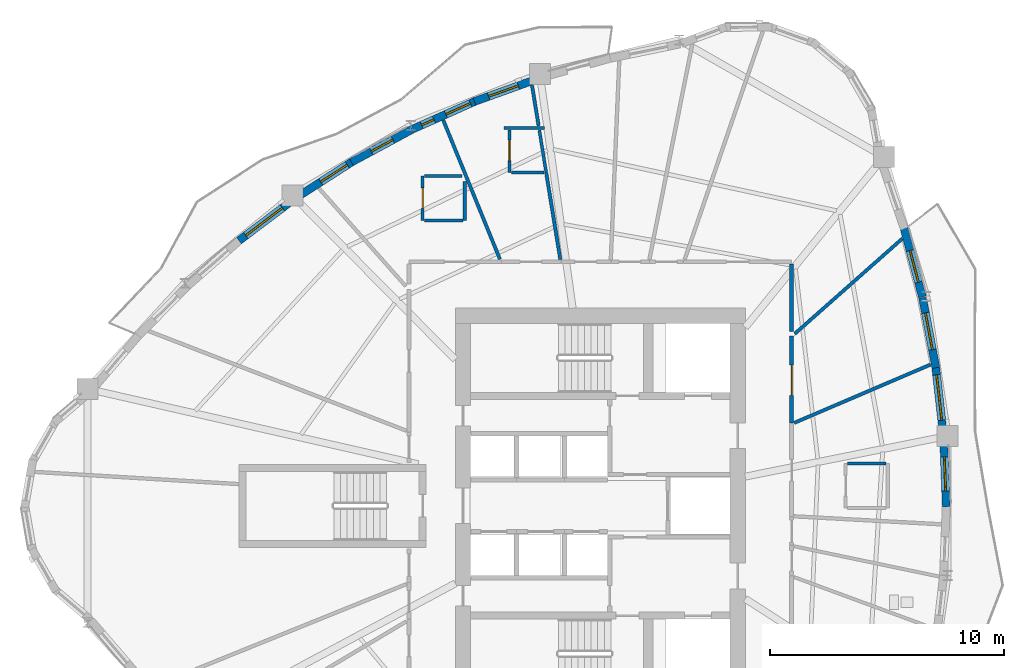
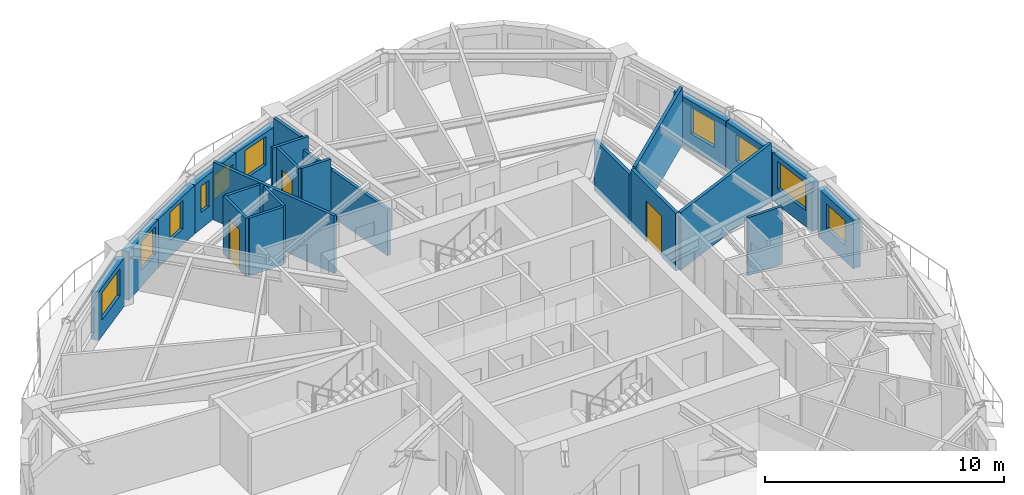
# One storey, part 8 of 13: 25 walls, 10 windows, 3 doors, 13 openings.
"""IFC4 building model written with IfcOpenShell, lengths in metres."""

from ifc_helpers import new_model, si_unit, direction, frame, frame_2d, origin, place, context, subcontext, project, spatial, rectangle, extrude, source, transform, mapped, material, layer, layer_set, type_object, element, fill, save


model = new_model("IFC4")

# Units and contexts
model_context = context("Model", 3, precision=1e-05, world=origin(), true_north=direction((0.0, 1.0)))
body_context = subcontext(model_context, "Body", "Model", "MODEL_VIEW")
ifc_project = project(units=[si_unit("LENGTHUNIT", "METRE"), si_unit("AREAUNIT", "SQUARE_METRE"), si_unit("VOLUMEUNIT", "CUBIC_METRE"), si_unit("PLANEANGLEUNIT", "RADIAN"), si_unit("MASSUNIT", "GRAM", prefix="KILO")], contexts=[model_context])

# Site, building, storey
site_placement = place(None, origin())
site = spatial("IfcSite", under=ifc_project, at=site_placement, CompositionType="ELEMENT")
building_placement = place(site_placement, origin())
building = spatial("IfcBuilding", under=site, at=building_placement, Name="Qafzar Sky-Pleat Residences", CompositionType="ELEMENT")
storey_placement = place(building_placement, frame((0.0, 0.0, 99.199951171875)))
storey = spatial("IfcBuildingStorey", under=building, at=storey_placement, Name="L29", CompositionType="ELEMENT", Elevation=99.199951171875)

# Wall, opening, door
ifc_material_1 = material(Name="Acoustic gypsum plasterboard partition", Category="gypsum")
ifc_layer_1 = layer(ifc_material_1, 0.159912109375)
ifc_layer_set_1 = layer_set([ifc_layer_1], Name="Acoustic gypsum plasterboard partition")
wall_type_1 = type_object("IfcWallType", Name="PART-COR-160", PredefinedType="PARTITIONING", material=ifc_layer_set_1)
wall_1_placement = place(storey_placement, frame((38.530029296875, 33.2548828125, 0.0), z_axis=(0.0, 0.0, 1.0), x_axis=(0.0, -1.0, 0.0)))
wall_1 = element("IfcWall", 1, at=wall_1_placement, inside=storey, type_object=wall_type_1, Name="L29 Partition Wall PART-L29-PW-007", PredefinedType="PARTITIONING", context=body_context, shape_type="SweptSolid", body=[
    extrude(rectangle(XDim=3.725830078125, YDim=0.159912109375, at=frame_2d((1.86279296875, 0.0))), origin(), (0.0, 0.0, 1.0), 2.949951171875),
])
opening_1_placement = place(wall_1_placement, frame((1.238525390625, 0.0, 0.0)))
opening_1 = element("IfcOpeningElement", 2, at=opening_1_placement, cuts=wall_1, Name="Opening ID-05", PredefinedType="OPENING", context=body_context, shape_type="SweptSolid", body=[
    extrude(rectangle(XDim=1.300048828125, YDim=2.10009765625, at=frame_2d((0.64990234375, 1.050048828125))), frame((0.0, 0.08984375, 0.0), z_axis=(0.0, -1.0, 0.0), x_axis=(1.0, 0.0, 0.0)), (0.0, 0.0, 1.0), 0.179931640625),
])
ifc_material_2 = material(Name="Timber-faced fire door", Category="wood")
door_type_1 = type_object("IfcDoorType", Name="DR-LNG-1300", OperationType="DOUBLE_DOOR_SINGLE_SWING", PredefinedType="DOOR", material=ifc_material_2)
shared_shape_1 = source(origin(), body_context, "Body", "SweptSolid", [
    extrude(rectangle(XDim=1.300048828125, YDim=2.10009765625, at=frame_2d((0.64990234375, 1.050048828125))), frame((0.0, 0.02490234375, 0.0), z_axis=(0.0, -1.0, 0.0), x_axis=(1.0, 0.0, 0.0)), (0.0, 0.0, 1.0), 0.050048828125),
])
door_1_placement = place(opening_1_placement, origin())
door_1 = element("IfcDoor", 3, at=door_1_placement, inside=storey, type_object=door_type_1, Name="L29 Communal Kitchen Door", OperationType="DOUBLE_DOOR_SINGLE_SWING", OverallHeight=2.10009765625, OverallWidth=1.300048828125, PredefinedType="DOOR", context=body_context, shape_type="MappedRepresentation", body=[
    mapped(shared_shape_1, transform((0.0, 0.0, 0.0), x_axis=(1.0, 0.0, 0.0), y_axis=(0.0, 1.0, 0.0), z_axis=(0.0, 0.0, 1.0), scale=1.0)),
])
fill(opening_1, door_1)

# Walls
wall_2_placement = place(storey_placement, frame((38.530029296875, 33.445556640625, 0.0), z_axis=(0.0, 0.0, 1.0), x_axis=(0.0, 1.0, 0.0)))
element("IfcWall", 4, at=wall_2_placement, inside=storey, type_object=wall_type_1, Name="L29 Partition Wall PART-L29-PW-051", PredefinedType="PARTITIONING", context=body_context, shape_type="SweptSolid", body=[
    extrude(rectangle(XDim=2.896484375, YDim=0.159912109375, at=frame_2d((1.4482421875, 0.0))), origin(), (0.0, 0.0, 1.0), 2.588134765625),
])
ifc_layer_2 = layer(ifc_material_1, 0.14501953125)
ifc_layer_set_2 = layer_set([ifc_layer_2], Name="Acoustic gypsum plasterboard partition")
wall_type_2 = type_object("IfcWallType", Name="PART-UNIT-145", PredefinedType="PARTITIONING", material=ifc_layer_set_2)
wall_3_placement = place(storey_placement, frame((23.6328125, 42.4931640625, 0.0), z_axis=(0.0, 0.0, 1.0), x_axis=(0.37719666663, -0.926133184096, 0.0)))
element("IfcWall", 5, at=wall_3_placement, inside=storey, type_object=wall_type_2, Name="L29 Partition Wall PART-L29-PW-041", PredefinedType="PARTITIONING", context=body_context, shape_type="SweptSolid", body=[
    extrude(rectangle(XDim=6.422607421875, YDim=0.14501953125, at=frame_2d((3.21142578125, 0.0))), origin(), (0.0, 0.0, 1.0), 2.949951171875),
])
wall_4_placement = place(storey_placement, frame((38.64599609375, 29.54638671875, 0.0), z_axis=(0.0, 0.0, 1.0), x_axis=(0.919441504603, 0.393226804293, 0.0)))
element("IfcWall", 6, at=wall_4_placement, inside=storey, type_object=wall_type_2, Name="L29 Partition Wall PART-L29-PW-042", PredefinedType="PARTITIONING", context=body_context, shape_type="SweptSolid", body=[
    extrude(rectangle(XDim=6.3408203125, YDim=0.14501953125, at=frame_2d((3.17041015625, 0.0))), origin(), (0.0, 0.0, 1.0), 2.949951171875),
])
wall_5_placement = place(storey_placement, frame((38.6640625, 33.3544921875, 0.0), z_axis=(0.0, 0.0, 1.0), x_axis=(0.749069296105, 0.662491652501, 0.0)))
element("IfcWall", 7, at=wall_5_placement, inside=storey, type_object=wall_type_2, Name="L29 Partition Wall PART-L29-PW-046", PredefinedType="PARTITIONING", context=body_context, shape_type="SweptSolid", body=[
    extrude(rectangle(XDim=6.150146484375, YDim=0.14501953125, at=frame_2d((3.0751953125, 0.0))), origin(), (0.0, 0.0, 1.0), 2.949951171875),
])
wall_6_placement = place(storey_placement, frame((28.035888671875, 40.24609375, 0.0), z_axis=(0.0, 0.0, 1.0), x_axis=(0.160412651813, -0.987050039835, 0.0)))
element("IfcWall", 8, at=wall_6_placement, inside=storey, type_object=wall_type_2, Name="L29 Partition Wall PART-L29-PW-048", PredefinedType="PARTITIONING", context=body_context, shape_type="SweptSolid", body=[
    extrude(rectangle(XDim=3.765380859375, YDim=0.14501953125, at=frame_2d((1.8828125, 0.0))), origin(), (0.0, 0.0, 1.0), 2.3681640625),
])
wall_7_placement = place(storey_placement, frame((27.430908203125, 43.97119140625, 0.0), z_axis=(0.0, 0.0, 1.0), x_axis=(0.160707234414, -0.987002119961, 0.0)))
element("IfcWall", 9, at=wall_7_placement, inside=storey, type_object=wall_type_2, Name="L29 Partition Wall PART-L29-PW-060", PredefinedType="PARTITIONING", context=body_context, shape_type="SweptSolid", body=[
    extrude(rectangle(XDim=1.74853515625, YDim=0.14501953125, at=frame_2d((0.874267578125, 0.0))), origin(), (0.0, 0.0, 1.0), 2.949951171875),
])

# Wall, opening, door
ifc_material_3 = material(Name="Moisture-resistant gypsum partition", Category="gypsum")
ifc_layer_3 = layer(ifc_material_3, 0.1298828125)
ifc_layer_set_3 = layer_set([ifc_layer_3], Name="Moisture-resistant gypsum partition")
wall_type_3 = type_object("IfcWallType", Name="PART-WET-130", PredefinedType="PARTITIONING", material=ifc_layer_set_3)
wall_8_placement = place(storey_placement, frame((26.468994140625, 42.072998046875, 0.0), z_axis=(0.0, 0.0, 1.0), x_axis=(0.0, -1.0, 0.0)))
wall_8 = element("IfcWall", 10, at=wall_8_placement, inside=storey, type_object=wall_type_3, Name="L29 Partition Wall PART-L29-PW-022", PredefinedType="PARTITIONING", context=body_context, shape_type="SweptSolid", body=[
    extrude(rectangle(XDim=1.826904296875, YDim=0.1298828125, at=frame_2d((0.91357421875, 0.0))), origin(), (0.0, 0.0, 1.0), 2.949951171875),
])
opening_2_placement = place(wall_8_placement, frame((0.43701171875, 0.0, 0.0)))
opening_2 = element("IfcOpeningElement", 11, at=opening_2_placement, cuts=wall_8, Name="Opening ID-07", PredefinedType="OPENING", context=body_context, shape_type="SweptSolid", body=[
    extrude(rectangle(XDim=0.8798828125, YDim=2.050048828125, at=frame_2d((0.43994140625, 1.02490234375))), frame((0.0, 0.074951171875, 0.0), z_axis=(0.0, -1.0, 0.0), x_axis=(1.0, 0.0, 0.0)), (0.0, 0.0, 1.0), 0.14990234375),
])
door_type_2 = type_object("IfcDoorType", Name="DR-WET-880", OperationType="NOTDEFINED", PredefinedType="DOOR", material=ifc_material_2)
shared_shape_2 = source(origin(), body_context, "Body", "SweptSolid", [
    extrude(rectangle(XDim=0.8798828125, YDim=2.050048828125, at=frame_2d((0.43994140625, 1.02490234375))), frame((0.0, 0.02490234375, 0.0), z_axis=(0.0, -1.0, 0.0), x_axis=(1.0, 0.0, 0.0)), (0.0, 0.0, 1.0), 0.050048828125),
])
door_2_placement = place(opening_2_placement, origin())
door_2 = element("IfcDoor", 12, at=door_2_placement, inside=storey, type_object=door_type_2, Name="L29 En-suite Bathroom 8 Door", OperationType="SINGLE_SWING_LEFT", OverallHeight=2.050048828125, OverallWidth=0.8798828125, PredefinedType="DOOR", context=body_context, shape_type="MappedRepresentation", body=[
    mapped(shared_shape_2, transform((0.0, 0.0, 0.0), x_axis=(1.0, 0.0, 0.0), y_axis=(0.0, 1.0, 0.0), z_axis=(0.0, 0.0, 1.0), scale=1.0)),
])
fill(opening_2, door_2)

wall_9_placement = place(storey_placement, frame((22.7529296875, 40.10693359375, 0.0), z_axis=(0.0, 0.0, 1.0), x_axis=(0.0, -1.0, 0.0)))
wall_9 = element("IfcWall", 13, at=wall_9_placement, inside=storey, type_object=wall_type_3, Name="L29 Partition Wall PART-L29-PW-023", PredefinedType="PARTITIONING", context=body_context, shape_type="SweptSolid", body=[
    extrude(rectangle(XDim=1.89990234375, YDim=0.1298828125, at=frame_2d((0.949951171875, 0.0))), origin(), (0.0, 0.0, 1.0), 2.949951171875),
])
opening_3_placement = place(wall_9_placement, frame((0.510009765625, 0.0, 0.0)))
opening_3 = element("IfcOpeningElement", 14, at=opening_3_placement, cuts=wall_9, Name="Opening ID-07", PredefinedType="OPENING", context=body_context, shape_type="SweptSolid", body=[
    extrude(rectangle(XDim=0.8798828125, YDim=2.050048828125, at=frame_2d((0.43994140625, 1.02490234375))), frame((0.0, 0.074951171875, 0.0), z_axis=(0.0, -1.0, 0.0), x_axis=(1.0, 0.0, 0.0)), (0.0, 0.0, 1.0), 0.14990234375),
])
door_3_placement = place(opening_3_placement, origin())
door_3 = element("IfcDoor", 15, at=door_3_placement, inside=storey, type_object=door_type_2, Name="L29 En-suite Bathroom 10 Door", OperationType="SINGLE_SWING_RIGHT", OverallHeight=2.050048828125, OverallWidth=0.8798828125, PredefinedType="DOOR", context=body_context, shape_type="MappedRepresentation", body=[
    mapped(shared_shape_2, transform((0.0, 0.0, 0.0), x_axis=(1.0, 0.0, 0.0), y_axis=(0.0, 1.0, 0.0), z_axis=(0.0, 0.0, 1.0), scale=1.0)),
])
fill(opening_3, door_3)

# Walls
wall_10_placement = place(storey_placement, frame((27.741455078125, 42.062744140625, 0.0), z_axis=(0.0, 0.0, 1.0), x_axis=(0.160081724147, -0.98710376435, 0.0)))
element("IfcWall", 16, at=wall_10_placement, inside=storey, type_object=wall_type_3, Name="L29 Partition Wall PART-L29-PW-056", PredefinedType="PARTITIONING", context=body_context, shape_type="SweptSolid", body=[
    extrude(rectangle(XDim=1.825439453125, YDim=0.1298828125, at=frame_2d((0.91259765625, 0.0))), origin(), (0.0, 0.0, 1.0), 2.3681640625),
])
wall_11_placement = place(storey_placement, frame((24.552978515625, 38.20703125, 0.0), z_axis=(0.0, 0.0, 1.0), x_axis=(0.0, 1.0, 0.0)))
element("IfcWall", 17, at=wall_11_placement, inside=storey, type_object=wall_type_3, Name="L29 Partition Wall PART-L29-PW-059", PredefinedType="PARTITIONING", context=body_context, shape_type="SweptSolid", body=[
    extrude(rectangle(XDim=1.659912109375, YDim=0.1298828125, at=frame_2d((0.830078125, 0.0))), origin(), (0.0, 0.0, 1.0), 2.949951171875),
])
wall_12_placement = place(storey_placement, frame((40.9150390625, 27.802001953125, 0.0), z_axis=(0.0, 0.0, 1.0), x_axis=(1.0, 0.0, 0.0)))
element("IfcWall", 18, at=wall_12_placement, inside=storey, type_object=wall_type_3, Name="L29 Partition Wall PART-L29-PW-061", PredefinedType="PARTITIONING", context=body_context, shape_type="SweptSolid", body=[
    extrude(rectangle(XDim=1.654052734375, YDim=0.1298828125, at=frame_2d((0.8271484375, 0.0))), origin(), (0.0, 0.0, 1.0), 2.949951171875),
])
wall_13_placement = place(storey_placement, frame((22.825927734375, 40.10693359375, 0.0), z_axis=(0.0, 0.0, 1.0), x_axis=(1.0, 0.0, 0.0)))
element("IfcWall", 19, at=wall_13_placement, inside=storey, type_object=wall_type_3, Name="L29 Partition Wall PART-L29-PW-064", PredefinedType="PARTITIONING", context=body_context, shape_type="SweptSolid", body=[
    extrude(rectangle(XDim=1.6142578125, YDim=0.1298828125, at=frame_2d((0.80712890625, 0.0))), origin(), (0.0, 0.0, 1.0), 2.949951171875),
])
wall_14_placement = place(storey_placement, frame((22.825927734375, 38.20703125, 0.0), z_axis=(0.0, 0.0, 1.0), x_axis=(1.0, 0.0, 0.0)))
element("IfcWall", 20, at=wall_14_placement, inside=storey, type_object=wall_type_3, Name="L29 Partition Wall PART-L29-PW-065", PredefinedType="PARTITIONING", context=body_context, shape_type="SweptSolid", body=[
    extrude(rectangle(XDim=1.654052734375, YDim=0.1298828125, at=frame_2d((0.8271484375, 0.0))), origin(), (0.0, 0.0, 1.0), 2.949951171875),
])
wall_15_placement = place(storey_placement, frame((26.5419921875, 40.24609375, 0.0), z_axis=(0.0, 0.0, 1.0), x_axis=(1.0, 0.0, 0.0)))
element("IfcWall", 21, at=wall_15_placement, inside=storey, type_object=wall_type_3, Name="L29 Partition Wall PART-L29-PW-074", PredefinedType="PARTITIONING", context=body_context, shape_type="SweptSolid", body=[
    extrude(rectangle(XDim=1.402099609375, YDim=0.1298828125, at=frame_2d((0.701171875, 0.0))), origin(), (0.0, 0.0, 1.0), 2.949951171875),
])
wall_16_placement = place(storey_placement, frame((26.22900390625, 42.14599609375, 0.0), z_axis=(0.0, 0.0, 1.0), x_axis=(1.0, 0.0, 0.0)))
element("IfcWall", 22, at=wall_16_placement, inside=storey, type_object=wall_type_3, Name="L29 Partition Wall PART-L29-PW-078", PredefinedType="PARTITIONING", context=body_context, shape_type="SweptSolid", body=[
    extrude(rectangle(XDim=1.739013671875, YDim=0.1298828125, at=frame_2d((0.86962890625, 0.0))), origin(), (0.0, 0.0, 1.0), 2.949951171875),
])

# Wall, opening, window
ifc_material_4 = material(Name="Precast concrete C40/50 with honed Riyadh limestone", Category="concrete")
ifc_layer_4 = layer(ifc_material_4, 0.340087890625)
ifc_layer_set_4 = layer_set([ifc_layer_4], Name="Precast concrete C40/50 with honed Riyadh limestone")
wall_type_4 = type_object("IfcWallType", Name="WALL-EXT-340", PredefinedType="SOLIDWALL", material=ifc_layer_set_4)
wall_17_placement = place(storey_placement, frame((45.14453125, 25.95556640625, 0.0), z_axis=(0.0, 0.0, 1.0), x_axis=(-0.038000333161, 0.9992777265, 0.0)))
wall_17 = element("IfcWall", 23, at=wall_17_placement, inside=storey, type_object=wall_type_4, Name="L29 Limestone Facade Wall 28", PredefinedType="SOLIDWALL", context=body_context, shape_type="SweptSolid", body=[
    extrude(rectangle(XDim=2.794677734375, YDim=0.340087890625, at=frame_2d((1.3974609375, 0.0))), origin(), (0.0, 0.0, 1.0), 2.47998046875),
])
opening_4_placement = place(wall_17_placement, frame((0.677490234375, 0.0, 0.820068359375)))
opening_4 = element("IfcOpeningElement", 24, at=opening_4_placement, cuts=wall_17, Name="Opening WN-15", PredefinedType="OPENING", context=body_context, shape_type="SweptSolid", body=[
    extrude(rectangle(XDim=1.449951171875, YDim=1.25, at=frame_2d((0.72509765625, 0.625))), frame((0.0, 0.18017578125, 0.0), z_axis=(0.0, -1.0, 0.0), x_axis=(1.0, 0.0, 0.0)), (0.0, 0.0, 1.0), 0.360107421875),
])
ifc_material_5 = material(Name="Solar-control low-E glass in bronze aluminium frame", Category="glass")
window_type_1 = type_object("IfcWindowType", Name="WIN-15", PartitioningType="SINGLE_PANEL", PredefinedType="WINDOW", material=ifc_material_5)
shared_shape_3 = source(origin(), body_context, "Body", "SweptSolid", [
    extrude(rectangle(XDim=1.449951171875, YDim=1.25, at=frame_2d((0.72509765625, 0.625))), frame((0.0, 0.030029296875, 0.0), z_axis=(0.0, -1.0, 0.0), x_axis=(1.0, 0.0, 0.0)), (0.0, 0.0, 1.0), 0.06005859375),
])
window_1_placement = place(opening_4_placement, origin())
window_1 = element("IfcWindow", 25, at=window_1_placement, inside=storey, type_object=window_type_1, Name="L29 Punched Facade Window 28", OverallHeight=1.25, OverallWidth=1.449951171875, PartitioningType="SINGLE_PANEL", PredefinedType="WINDOW", context=body_context, shape_type="MappedRepresentation", body=[
    mapped(shared_shape_3, transform((0.0, 0.0, 0.0), x_axis=(1.0, 0.0, 0.0), y_axis=(0.0, 1.0, 0.0), z_axis=(0.0, 0.0, 1.0), scale=1.0)),
])
fill(opening_4, window_1)

wall_18_placement = place(storey_placement, frame((45.00439453125, 29.194091796875, 0.0), z_axis=(0.0, 0.0, 1.0), x_axis=(-0.113223342564, 0.993569562083, 0.0)))
wall_18 = element("IfcWall", 26, at=wall_18_placement, inside=storey, type_object=wall_type_4, Name="L29 Limestone Facade Wall 29", PredefinedType="SOLIDWALL", context=body_context, shape_type="SweptSolid", body=[
    extrude(rectangle(XDim=2.811767578125, YDim=0.340087890625, at=frame_2d((1.40576171875, 0.0))), origin(), (0.0, 0.0, 1.0), 2.47998046875),
])
opening_5_placement = place(wall_18_placement, frame((0.466064453125, 0.0, 0.820068359375)))
opening_5 = element("IfcOpeningElement", 27, at=opening_5_placement, cuts=wall_18, Name="Opening WN-08", PredefinedType="OPENING", context=body_context, shape_type="SweptSolid", body=[
    extrude(rectangle(XDim=1.949951171875, YDim=1.39990234375, at=frame_2d((0.97509765625, 0.699951171875))), frame((0.0, 0.18017578125, 0.0), z_axis=(0.0, -1.0, 0.0), x_axis=(1.0, 0.0, 0.0)), (0.0, 0.0, 1.0), 0.360107421875),
])
window_type_2 = type_object("IfcWindowType", Name="WIN-08", PartitioningType="DOUBLE_PANEL_VERTICAL", PredefinedType="WINDOW", material=ifc_material_5)
shared_shape_4 = source(origin(), body_context, "Body", "SweptSolid", [
    extrude(rectangle(XDim=1.949951171875, YDim=1.39990234375, at=frame_2d((0.97509765625, 0.699951171875))), frame((0.0, 0.030029296875, 0.0), z_axis=(0.0, -1.0, 0.0), x_axis=(1.0, 0.0, 0.0)), (0.0, 0.0, 1.0), 0.06005859375),
])
window_2_placement = place(opening_5_placement, origin())
window_2 = element("IfcWindow", 28, at=window_2_placement, inside=storey, type_object=window_type_2, Name="L29 Punched Facade Window 29", OverallHeight=1.39990234375, OverallWidth=1.949951171875, PartitioningType="SINGLE_PANEL", PredefinedType="WINDOW", context=body_context, shape_type="MappedRepresentation", body=[
    mapped(shared_shape_4, transform((0.0, 0.0, 0.0), x_axis=(1.0, 0.0, 0.0), y_axis=(0.0, 1.0, 0.0), z_axis=(0.0, 0.0, 1.0), scale=1.0)),
])
fill(opening_5, window_2)

wall_19_placement = place(storey_placement, frame((44.699462890625, 31.900146484375, 0.0), z_axis=(0.0, 0.0, 1.0), x_axis=(-0.186689944156, 0.982418884566, 0.0)))
wall_19 = element("IfcWall", 29, at=wall_19_placement, inside=storey, type_object=wall_type_4, Name="L29 Limestone Facade Wall 30", PredefinedType="SOLIDWALL", context=body_context, shape_type="SweptSolid", body=[
    extrude(rectangle(XDim=3.05615234375, YDim=0.340087890625, at=frame_2d((1.528076171875, 0.0))), origin(), (0.0, 0.0, 1.0), 2.47998046875),
])
opening_6_placement = place(wall_19_placement, frame((0.791015625, 0.0, 0.820068359375)))
opening_6 = element("IfcOpeningElement", 30, at=opening_6_placement, cuts=wall_19, Name="Opening WN-09", PredefinedType="OPENING", context=body_context, shape_type="SweptSolid", body=[
    extrude(rectangle(XDim=1.60009765625, YDim=1.35009765625, at=frame_2d((0.800048828125, 0.675048828125))), frame((0.0, 0.18017578125, 0.0), z_axis=(0.0, -1.0, 0.0), x_axis=(1.0, 0.0, 0.0)), (0.0, 0.0, 1.0), 0.360107421875),
])
window_type_3 = type_object("IfcWindowType", Name="WIN-09", PartitioningType="DOUBLE_PANEL_VERTICAL", PredefinedType="WINDOW", material=ifc_material_5)
shared_shape_5 = source(origin(), body_context, "Body", "SweptSolid", [
    extrude(rectangle(XDim=1.60009765625, YDim=1.35009765625, at=frame_2d((0.800048828125, 0.675048828125))), frame((0.0, 0.030029296875, 0.0), z_axis=(0.0, -1.0, 0.0), x_axis=(1.0, 0.0, 0.0)), (0.0, 0.0, 1.0), 0.06005859375),
])
window_3_placement = place(opening_6_placement, origin())
window_3 = element("IfcWindow", 31, at=window_3_placement, inside=storey, type_object=window_type_3, Name="L29 Punched Facade Window 30", OverallHeight=1.35009765625, OverallWidth=1.60009765625, PartitioningType="SINGLE_PANEL", PredefinedType="WINDOW", context=body_context, shape_type="MappedRepresentation", body=[
    mapped(shared_shape_5, transform((0.0, 0.0, 0.0), x_axis=(1.0, 0.0, 0.0), y_axis=(0.0, 1.0, 0.0), z_axis=(0.0, 0.0, 1.0), scale=1.0)),
])
fill(opening_6, window_3)

wall_20_placement = place(storey_placement, frame((44.122802734375, 34.9296875, 0.0), z_axis=(0.0, 0.0, 1.0), x_axis=(-0.257080487516, 0.96638999526, 0.0)))
wall_20 = element("IfcWall", 32, at=wall_20_placement, inside=storey, type_object=wall_type_4, Name="L29 Limestone Facade Wall 31", PredefinedType="SOLIDWALL", context=body_context, shape_type="SweptSolid", body=[
    extrude(rectangle(XDim=3.1064453125, YDim=0.340087890625, at=frame_2d((1.55322265625, 0.0))), origin(), (0.0, 0.0, 1.0), 2.47998046875),
])
opening_7_placement = place(wall_20_placement, frame((0.652099609375, 0.0, 0.820068359375)))
opening_7 = element("IfcOpeningElement", 33, at=opening_7_placement, cuts=wall_20, Name="Opening WN-10", PredefinedType="OPENING", context=body_context, shape_type="SweptSolid", body=[
    extrude(rectangle(XDim=1.39990234375, YDim=1.35009765625, at=frame_2d((0.699951171875, 0.675048828125))), frame((0.0, 0.18017578125, 0.0), z_axis=(0.0, -1.0, 0.0), x_axis=(1.0, 0.0, 0.0)), (0.0, 0.0, 1.0), 0.360107421875),
])
window_type_4 = type_object("IfcWindowType", Name="WIN-10", PartitioningType="SINGLE_PANEL", PredefinedType="WINDOW", material=ifc_material_5)
shared_shape_6 = source(origin(), body_context, "Body", "SweptSolid", [
    extrude(rectangle(XDim=1.39990234375, YDim=1.35009765625, at=frame_2d((0.699951171875, 0.675048828125))), frame((0.0, 0.030029296875, 0.0), z_axis=(0.0, -1.0, 0.0), x_axis=(1.0, 0.0, 0.0)), (0.0, 0.0, 1.0), 0.06005859375),
])
window_4_placement = place(opening_7_placement, origin())
window_4 = element("IfcWindow", 34, at=window_4_placement, inside=storey, type_object=window_type_4, Name="L29 Punched Facade Window 31", OverallHeight=1.35009765625, OverallWidth=1.39990234375, PartitioningType="SINGLE_PANEL", PredefinedType="WINDOW", context=body_context, shape_type="MappedRepresentation", body=[
    mapped(shared_shape_6, transform((0.0, 0.0, 0.0), x_axis=(1.0, 0.0, 0.0), y_axis=(0.0, 1.0, 0.0), z_axis=(0.0, 0.0, 1.0), scale=1.0)),
])
fill(opening_7, window_4)

wall_21_placement = place(storey_placement, frame((27.60302734375, 44.236083984375, 0.0), z_axis=(0.0, 0.0, 1.0), x_axis=(-0.941110715193, -0.33809853852, 0.0)))
wall_21 = element("IfcWall", 35, at=wall_21_placement, inside=storey, type_object=wall_type_4, Name="L29 Limestone Facade Wall 41", PredefinedType="SOLIDWALL", context=body_context, shape_type="SweptSolid", body=[
    extrude(rectangle(XDim=2.798828125, YDim=0.340087890625, at=frame_2d((1.3994140625, 0.0))), origin(), (0.0, 0.0, 1.0), 2.47998046875),
])
opening_8_placement = place(wall_21_placement, frame((0.807373046875, 0.0, 0.820068359375)))
opening_8 = element("IfcOpeningElement", 36, at=opening_8_placement, cuts=wall_21, Name="Opening WN-04", PredefinedType="OPENING", context=body_context, shape_type="SweptSolid", body=[
    extrude(rectangle(XDim=1.35009765625, YDim=1.449951171875, at=frame_2d((0.675048828125, 0.72509765625))), frame((0.0, 0.18017578125, 0.0), z_axis=(0.0, -1.0, 0.0), x_axis=(1.0, 0.0, 0.0)), (0.0, 0.0, 1.0), 0.360107421875),
])
window_type_5 = type_object("IfcWindowType", Name="WIN-04", PartitioningType="SINGLE_PANEL", PredefinedType="WINDOW", material=ifc_material_5)
shared_shape_7 = source(origin(), body_context, "Body", "SweptSolid", [
    extrude(rectangle(XDim=1.35009765625, YDim=1.449951171875, at=frame_2d((0.675048828125, 0.72509765625))), frame((0.0, 0.030029296875, 0.0), z_axis=(0.0, -1.0, 0.0), x_axis=(1.0, 0.0, 0.0)), (0.0, 0.0, 1.0), 0.06005859375),
])
window_5_placement = place(opening_8_placement, origin())
window_5 = element("IfcWindow", 37, at=window_5_placement, inside=storey, type_object=window_type_5, Name="L29 Punched Facade Window 41", OverallHeight=1.449951171875, OverallWidth=1.35009765625, PartitioningType="SINGLE_PANEL", PredefinedType="WINDOW", context=body_context, shape_type="MappedRepresentation", body=[
    mapped(shared_shape_7, transform((0.0, 0.0, 0.0), x_axis=(1.0, 0.0, 0.0), y_axis=(0.0, 1.0, 0.0), z_axis=(0.0, 0.0, 1.0), scale=1.0)),
])
fill(opening_8, window_5)

# Wall, openings, windows
wall_22_placement = place(storey_placement, frame((25.05126953125, 43.32275390625, 0.0), z_axis=(0.0, 0.0, 1.0), x_axis=(-0.913432176814, -0.406990980686, 0.0)))
wall_22 = element("IfcWall", 38, at=wall_22_placement, inside=storey, type_object=wall_type_4, Name="L29 Limestone Facade Wall 42", PredefinedType="SOLIDWALL", context=body_context, shape_type="SweptSolid", body=[
    extrude(rectangle(XDim=2.975341796875, YDim=0.340087890625, at=frame_2d((1.48779296875, 0.0))), origin(), (0.0, 0.0, 1.0), 2.47998046875),
])
opening_9_placement = place(wall_22_placement, frame((0.28125, 0.0, 0.820068359375)))
opening_9 = element("IfcOpeningElement", 39, at=opening_9_placement, cuts=wall_22, Name="Opening WN-16", PredefinedType="OPENING", context=body_context, shape_type="SweptSolid", body=[
    extrude(rectangle(XDim=1.14990234375, YDim=1.199951171875, at=frame_2d((0.574951171875, 0.60009765625))), frame((0.0, 0.18017578125, 0.0), z_axis=(0.0, -1.0, 0.0), x_axis=(1.0, 0.0, 0.0)), (0.0, 0.0, 1.0), 0.360107421875),
])
opening_10_placement = place(wall_22_placement, frame((1.984130859375, 0.0, 0.820068359375)))
opening_10 = element("IfcOpeningElement", 40, at=opening_10_placement, cuts=wall_22, Name="Opening WN-17", PredefinedType="OPENING", context=body_context, shape_type="SweptSolid", body=[
    extrude(rectangle(XDim=0.580078125, YDim=1.35009765625, at=frame_2d((0.2900390625, 0.675048828125))), frame((0.0, 0.18017578125, 0.0), z_axis=(0.0, -1.0, 0.0), x_axis=(1.0, 0.0, 0.0)), (0.0, 0.0, 1.0), 0.360107421875),
])
window_type_6 = type_object("IfcWindowType", Name="WIN-17", PartitioningType="SINGLE_PANEL", PredefinedType="WINDOW", material=ifc_material_5)
shared_shape_8 = source(origin(), body_context, "Body", "SweptSolid", [
    extrude(rectangle(XDim=0.580078125, YDim=1.35009765625, at=frame_2d((0.2900390625, 0.675048828125))), frame((0.0, 0.030029296875, 0.0), z_axis=(0.0, -1.0, 0.0), x_axis=(1.0, 0.0, 0.0)), (0.0, 0.0, 1.0), 0.06005859375),
])
window_6_placement = place(opening_10_placement, origin())
window_6 = element("IfcWindow", 41, at=window_6_placement, inside=storey, type_object=window_type_6, Name="L29 Punched Facade Window 42-2", OverallHeight=1.35009765625, OverallWidth=0.580078125, PartitioningType="SINGLE_PANEL", PredefinedType="WINDOW", context=body_context, shape_type="MappedRepresentation", body=[
    mapped(shared_shape_8, transform((0.0, 0.0, 0.0), x_axis=(1.0, 0.0, 0.0), y_axis=(0.0, 1.0, 0.0), z_axis=(0.0, 0.0, 1.0), scale=1.0)),
])
fill(opening_10, window_6)
window_type_7 = type_object("IfcWindowType", Name="WIN-16", PartitioningType="SINGLE_PANEL", PredefinedType="WINDOW", material=ifc_material_5)
shared_shape_9 = source(origin(), body_context, "Body", "SweptSolid", [
    extrude(rectangle(XDim=1.14990234375, YDim=1.199951171875, at=frame_2d((0.574951171875, 0.60009765625))), frame((0.0, 0.030029296875, 0.0), z_axis=(0.0, -1.0, 0.0), x_axis=(1.0, 0.0, 0.0)), (0.0, 0.0, 1.0), 0.06005859375),
])
window_7_placement = place(opening_9_placement, origin())
window_7 = element("IfcWindow", 42, at=window_7_placement, inside=storey, type_object=window_type_7, Name="L29 Punched Facade Window 42", OverallHeight=1.199951171875, OverallWidth=1.14990234375, PartitioningType="SINGLE_PANEL", PredefinedType="WINDOW", context=body_context, shape_type="MappedRepresentation", body=[
    mapped(shared_shape_9, transform((0.0, 0.0, 0.0), x_axis=(1.0, 0.0, 0.0), y_axis=(0.0, 1.0, 0.0), z_axis=(0.0, 0.0, 1.0), scale=1.0)),
])
fill(opening_9, window_7)

# Wall, opening, window
wall_23_placement = place(storey_placement, frame((22.30908203125, 42.099609375, 0.0), z_axis=(0.0, 0.0, 1.0), x_axis=(-0.880081290793, -0.474823042402, 0.0)))
wall_23 = element("IfcWall", 43, at=wall_23_placement, inside=storey, type_object=wall_type_4, Name="L29 Limestone Facade Wall 43", PredefinedType="SOLIDWALL", context=body_context, shape_type="SweptSolid", body=[
    extrude(rectangle(XDim=2.95849609375, YDim=0.340087890625, at=frame_2d((1.479248046875, 0.0))), origin(), (0.0, 0.0, 1.0), 2.47998046875),
])
opening_11_placement = place(wall_23_placement, frame((0.9443359375, 0.0, 0.820068359375)))
opening_11 = element("IfcOpeningElement", 44, at=opening_11_placement, cuts=wall_23, Name="Opening WN-06", PredefinedType="OPENING", context=body_context, shape_type="SweptSolid", body=[
    extrude(rectangle(XDim=1.050048828125, YDim=1.449951171875, at=frame_2d((0.52490234375, 0.72509765625))), frame((0.0, 0.18017578125, 0.0), z_axis=(0.0, -1.0, 0.0), x_axis=(1.0, 0.0, 0.0)), (0.0, 0.0, 1.0), 0.360107421875),
])
window_type_8 = type_object("IfcWindowType", Name="WIN-06", PartitioningType="SINGLE_PANEL", PredefinedType="WINDOW", material=ifc_material_5)
shared_shape_10 = source(origin(), body_context, "Body", "SweptSolid", [
    extrude(rectangle(XDim=1.050048828125, YDim=1.449951171875, at=frame_2d((0.52490234375, 0.72509765625))), frame((0.0, 0.030029296875, 0.0), z_axis=(0.0, -1.0, 0.0), x_axis=(1.0, 0.0, 0.0)), (0.0, 0.0, 1.0), 0.06005859375),
])
window_8_placement = place(opening_11_placement, origin())
window_8 = element("IfcWindow", 45, at=window_8_placement, inside=storey, type_object=window_type_8, Name="L29 Punched Facade Window 43", OverallHeight=1.449951171875, OverallWidth=1.050048828125, PartitioningType="SINGLE_PANEL", PredefinedType="WINDOW", context=body_context, shape_type="MappedRepresentation", body=[
    mapped(shared_shape_10, transform((0.0, 0.0, 0.0), x_axis=(1.0, 0.0, 0.0), y_axis=(0.0, 1.0, 0.0), z_axis=(0.0, 0.0, 1.0), scale=1.0)),
])
fill(opening_11, window_8)

wall_24_placement = place(storey_placement, frame((19.78173828125, 40.739990234375, 0.0), z_axis=(0.0, 0.0, 1.0), x_axis=(-0.841533313119, -0.540205222958, 0.0)))
wall_24 = element("IfcWall", 46, at=wall_24_placement, inside=storey, type_object=wall_type_4, Name="L29 Limestone Facade Wall 44", PredefinedType="SOLIDWALL", context=body_context, shape_type="SweptSolid", body=[
    extrude(rectangle(XDim=2.748291015625, YDim=0.340087890625, at=frame_2d((1.3740234375, 0.0))), origin(), (0.0, 0.0, 1.0), 2.47998046875),
])
opening_12_placement = place(wall_24_placement, frame((0.296630859375, 0.0, 0.820068359375)))
opening_12 = element("IfcOpeningElement", 47, at=opening_12_placement, cuts=wall_24, Name="Opening WN-04", PredefinedType="OPENING", context=body_context, shape_type="SweptSolid", body=[
    extrude(rectangle(XDim=1.35009765625, YDim=1.449951171875, at=frame_2d((0.675048828125, 0.72509765625))), frame((0.0, 0.18017578125, 0.0), z_axis=(0.0, -1.0, 0.0), x_axis=(1.0, 0.0, 0.0)), (0.0, 0.0, 1.0), 0.360107421875),
])
window_9_placement = place(opening_12_placement, origin())
window_9 = element("IfcWindow", 48, at=window_9_placement, inside=storey, type_object=window_type_5, Name="L29 Punched Facade Window 44", OverallHeight=1.449951171875, OverallWidth=1.35009765625, PartitioningType="SINGLE_PANEL", PredefinedType="WINDOW", context=body_context, shape_type="MappedRepresentation", body=[
    mapped(shared_shape_7, transform((0.0, 0.0, 0.0), x_axis=(1.0, 0.0, 0.0), y_axis=(0.0, 1.0, 0.0), z_axis=(0.0, 0.0, 1.0), scale=1.0)),
])
fill(opening_12, window_9)

wall_25_placement = place(storey_placement, frame((17.102294921875, 39.0, 0.0), z_axis=(0.0, 0.0, 1.0), x_axis=(-0.798386927074, -0.602144762226, 0.0)))
wall_25 = element("IfcWall", 49, at=wall_25_placement, inside=storey, type_object=wall_type_4, Name="L29 Limestone Facade Wall 45", PredefinedType="SOLIDWALL", context=body_context, shape_type="SweptSolid", body=[
    extrude(rectangle(XDim=2.765625, YDim=0.340087890625, at=frame_2d((1.3828125, 0.0))), origin(), (0.0, 0.0, 1.0), 2.47998046875),
])
opening_13_placement = place(wall_25_placement, frame((0.44287109375, 0.0, 0.820068359375)))
opening_13 = element("IfcOpeningElement", 50, at=opening_13_placement, cuts=wall_25, Name="Opening WN-08", PredefinedType="OPENING", context=body_context, shape_type="SweptSolid", body=[
    extrude(rectangle(XDim=1.949951171875, YDim=1.39990234375, at=frame_2d((0.97509765625, 0.699951171875))), frame((0.0, 0.18017578125, 0.0), z_axis=(0.0, -1.0, 0.0), x_axis=(1.0, 0.0, 0.0)), (0.0, 0.0, 1.0), 0.360107421875),
])
window_10_placement = place(opening_13_placement, origin())
window_10 = element("IfcWindow", 51, at=window_10_placement, inside=storey, type_object=window_type_2, Name="L29 Punched Facade Window 45", OverallHeight=1.39990234375, OverallWidth=1.949951171875, PartitioningType="SINGLE_PANEL", PredefinedType="WINDOW", context=body_context, shape_type="MappedRepresentation", body=[
    mapped(shared_shape_4, transform((0.0, 0.0, 0.0), x_axis=(1.0, 0.0, 0.0), y_axis=(0.0, 1.0, 0.0), z_axis=(0.0, 0.0, 1.0), scale=1.0)),
])
fill(opening_13, window_10)

save(model, "model.ifc")
